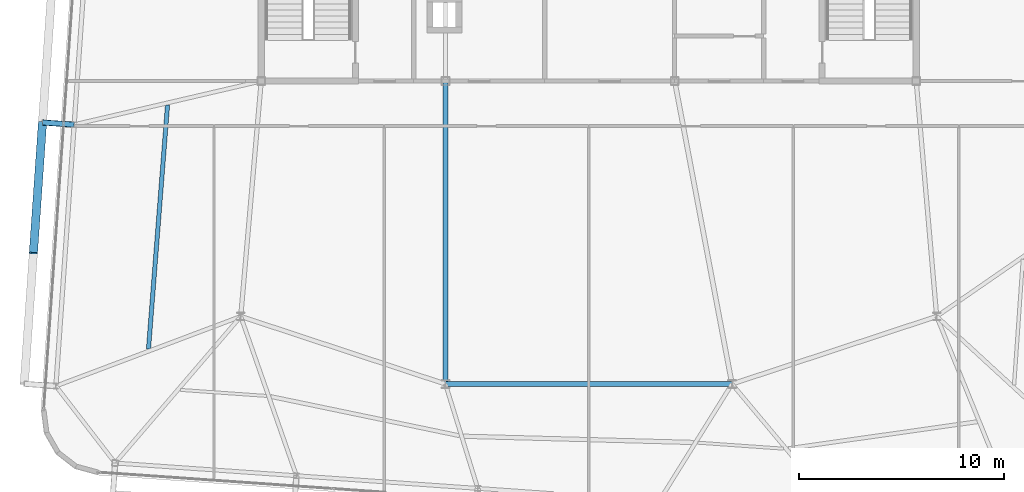
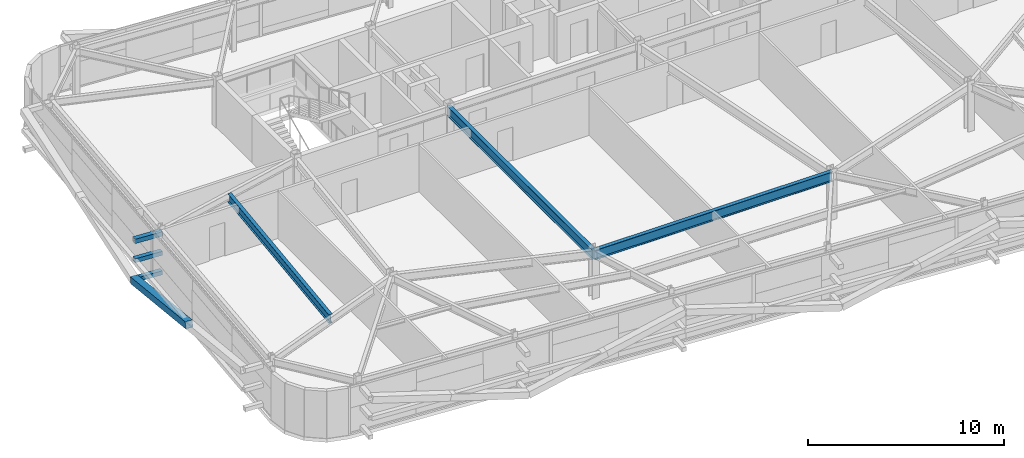
# One storey, part 10 of 39: 4 members, 3 beams.
"""IFC4 building model written with IfcOpenShell, lengths in metres."""

from ifc_helpers import new_model, si_unit, direction, frame, origin, origin_2d, place, context, subcontext, project, spatial, hollow_rectangle, i_section, extrude, source, transform, mapped, material, material_profile, profile_set, type_object, element, save


model = new_model("IFC4")

# Units and contexts
model_context = context("Model", 3, precision=1e-05, world=origin(), true_north=direction((0.0, 1.0)))
body_context = subcontext(model_context, "Body", "Model", "MODEL_VIEW")
ifc_project = project(units=[si_unit("LENGTHUNIT", "METRE"), si_unit("AREAUNIT", "SQUARE_METRE"), si_unit("VOLUMEUNIT", "CUBIC_METRE"), si_unit("PLANEANGLEUNIT", "RADIAN"), si_unit("MASSUNIT", "GRAM", prefix="KILO")], contexts=[model_context])

# Site, building, storey
site_placement = place(None, origin())
site = spatial("IfcSite", under=ifc_project, at=site_placement, CompositionType="ELEMENT")
building_placement = place(site_placement, origin())
building = spatial("IfcBuilding", under=site, at=building_placement, Name="Taldren Reach Tower", CompositionType="ELEMENT")
storey_placement = place(building_placement, frame((0.0, 0.0, 148.75)))
storey = spatial("IfcBuildingStorey", under=building, at=storey_placement, Name="L45", CompositionType="ELEMENT", Elevation=148.75)

# Beams
ifc_material_1 = material(Name="Steel Gr 350 (350PLUS)", Category="steel")
ifc_material_profile_1 = material_profile(ifc_material_1, i_section(OverallWidth=0.22802734375, OverallDepth=0.60205078125, WebThickness=0.010498046875, FlangeThickness=0.014892578125, at=origin_2d()), Name="610UB101")
ifc_profile_set_1 = profile_set([ifc_material_profile_1], Name="Steel Gr 350 (350PLUS)")
beam_type_1 = type_object("IfcBeamType", Name="BM-UB610B", PredefinedType="BEAM", material=ifc_profile_set_1)
shared_shape_1 = source(origin(), body_context, "Body", "SweptSolid", [
    extrude(i_section(OverallWidth=0.22802734375, OverallDepth=0.60205078125, WebThickness=0.010498046875, FlangeThickness=0.014892578125, at=origin_2d()), origin(), (0.0, 0.0, 1.0), 14.0),
])
beam_1_placement = place(storey_placement, frame((28.0, 9.199951171875, 2.62890625), z_axis=(1.0, 0.0, 0.0), x_axis=(0.0, 1.0, 0.0)))
element("IfcBeam", 1, at=beam_1_placement, inside=storey, type_object=beam_type_1, Name="Core-spine girder L45-SP11", PredefinedType="BEAM", context=body_context, shape_type="MappedRepresentation", body=[
    mapped(shared_shape_1, transform((0.0, 0.0, 0.0), scale=1.0)),
])
shared_shape_2 = source(origin(), body_context, "Body", "SweptSolid", [
    extrude(i_section(OverallWidth=0.22802734375, OverallDepth=0.60205078125, WebThickness=0.010498046875, FlangeThickness=0.014892578125, at=origin_2d()), origin(), (0.0, 0.0, 1.0), 14.800048828125),
])
beam_2_placement = place(storey_placement, frame((28.0, 24.0, 2.62890625), z_axis=(0.0, -1.0, 0.0), x_axis=(1.0, 0.0, 0.0)))
element("IfcBeam", 2, at=beam_2_placement, inside=storey, type_object=beam_type_1, Name="Core-spine girder L45-SP14", PredefinedType="BEAM", context=body_context, shape_type="MappedRepresentation", body=[
    mapped(shared_shape_2, transform((0.0, 0.0, 0.0), scale=1.0)),
])

# Members
ifc_material_2 = material(Name="Steel Gr 450 (C450L0)", Category="steel")
ifc_material_profile_2 = material_profile(ifc_material_2, hollow_rectangle(XDim=0.27490234375, YDim=0.27490234375, WallThickness=0.00927734375, at=origin_2d()), Name="275x275x9.3SHS")
ifc_profile_set_2 = profile_set([ifc_material_profile_2], Name="Steel Gr 450 (C450L0)")
member_type_1 = type_object("IfcMemberType", Name="MB-TIE273", PredefinedType="STRUT", material=ifc_profile_set_2)
shared_shape_3 = source(origin(), body_context, "Body", "SweptSolid", [
    extrude(hollow_rectangle(XDim=0.27490234375, YDim=0.27490234375, WallThickness=0.00927734375, at=origin_2d()), origin(), (0.0, 0.0, 1.0), 1.550048828125),
])
member_1_placement = place(storey_placement, frame((9.86181640625, 21.868408203125, 2.64990234375), z_axis=(-0.99756313426, 0.06976957191, 0.0), x_axis=(-0.06976957191, -0.99756313426, 0.0)))
element("IfcMember", 3, at=member_1_placement, inside=storey, type_object=member_type_1, Name="Exoskeleton diaphragm tie strut B3-W2 L45", PredefinedType="STRUT", context=body_context, shape_type="MappedRepresentation", body=[
    mapped(shared_shape_3, transform((0.0, 0.0, 0.0), scale=1.0)),
])
ifc_material_3 = material(Name="Steel Gr 350 (C350L0)", Category="steel")
ifc_material_profile_3 = material_profile(ifc_material_3, hollow_rectangle(XDim=0.25, YDim=0.25, WallThickness=0.010009765625, at=origin_2d()), Name="250x250x10.0SHS")
ifc_profile_set_3 = profile_set([ifc_material_profile_3], Name="Steel Gr 350 (C350L0)")
member_type_2 = type_object("IfcMemberType", Name="MB-POST250", PredefinedType="POST", material=ifc_profile_set_3)
shared_shape_4 = source(origin(), body_context, "Body", "SweptSolid", [
    extrude(hollow_rectangle(XDim=0.25, YDim=0.25, WallThickness=0.010009765625, at=origin_2d()), origin(), (0.0, 0.0, 1.0), 1.550048828125),
])
for number, where, z_axis, x_axis, name in (
    (4, (9.86181640625, 21.868408203125, 0.219970703125), (-0.99756313426, 0.06976957191, 0.0), (-0.06976957191, -0.99756313426, 0.0), "Exoskeleton base diaphragm tie strut B3-W2 L45"),
    (5, (9.86181640625, 21.868408203125, 1.43505859375), (-0.99756313426, 0.06976957191, 0.0), (-0.06976957191, -0.99756313426, 0.0), "Exoskeleton mid-tier diaphragm tie B3-W2 L45"),
):
    element("IfcMember", number, at=place(storey_placement, frame(where, z_axis=z_axis, x_axis=x_axis)), inside=storey, type_object=member_type_2, Name=name, PredefinedType="POST", context=body_context, shape_type="MappedRepresentation", body=[
        mapped(shared_shape_4, transform((0.0, 0.0, 0.0), scale=1.0)),
    ])

# Beam
ifc_material_profile_4 = material_profile(ifc_material_1, i_section(OverallWidth=0.208984375, OverallDepth=0.532958984375, WebThickness=0.01025390625, FlangeThickness=0.015625, at=origin_2d()), Name="530UB92.4")
ifc_profile_set_4 = profile_set([ifc_material_profile_4], Name="Steel Gr 350 (350PLUS)")
beam_type_2 = type_object("IfcBeamType", Name="BM-UB530A", PredefinedType="BEAM", material=ifc_profile_set_4)
shared_shape_5 = source(origin(), body_context, "Body", "SweptSolid", [
    extrude(i_section(OverallWidth=0.208984375, OverallDepth=0.532958984375, WebThickness=0.01025390625, FlangeThickness=0.015625, at=origin_2d()), origin(), (0.0, 0.0, 1.0), 11.965576171875),
])
beam_3_placement = place(storey_placement, frame((13.49267578125, 10.90478515625, 2.66357421875), z_axis=(0.077757433297, 0.996972307322, 0.0), x_axis=(-0.996972307322, 0.077757433297, 0.0)))
element("IfcBeam", 6, at=beam_3_placement, inside=storey, type_object=beam_type_2, Name="Secondary floor beam B3 J6 L45", PredefinedType="BEAM", context=body_context, shape_type="MappedRepresentation", body=[
    mapped(shared_shape_5, transform((0.0, 0.0, 0.0), scale=1.0)),
])

# Member
ifc_material_profile_5 = material_profile(ifc_material_2, hollow_rectangle(XDim=0.409912109375, YDim=0.409912109375, WallThickness=0.01611328125, at=origin_2d()), Name="410x410x16.0SHS")
ifc_profile_set_5 = profile_set([ifc_material_profile_5], Name="Steel Gr 450 (C450L0)")
member_type_3 = type_object("IfcMemberType", Name="MB-EXO406", PredefinedType="BRACE", material=ifc_profile_set_5)
shared_shape_6 = source(origin(), body_context, "Body", "SweptSolid", [
    extrude(hollow_rectangle(XDim=0.409912109375, YDim=0.409912109375, WallThickness=0.01611328125, at=origin_2d()), origin(), (0.0, 0.0, 1.0), 6.514404296875),
])
member_2_placement = place(storey_placement, frame((8.3154296875, 21.9765625, 0.219970703125), z_axis=(-0.068507825937, -0.980059166346, 0.186522674885), x_axis=(0.997565791441, -0.069731569223, 0.0)))
element("IfcMember", 7, at=member_2_placement, inside=storey, type_object=member_type_3, Name="Exoskeleton Diagrid Brace B3-W1 L45", PredefinedType="BRACE", context=body_context, shape_type="MappedRepresentation", body=[
    mapped(shared_shape_6, transform((0.0, 0.0, 0.0), scale=1.0)),
])

save(model, "model.ifc")
